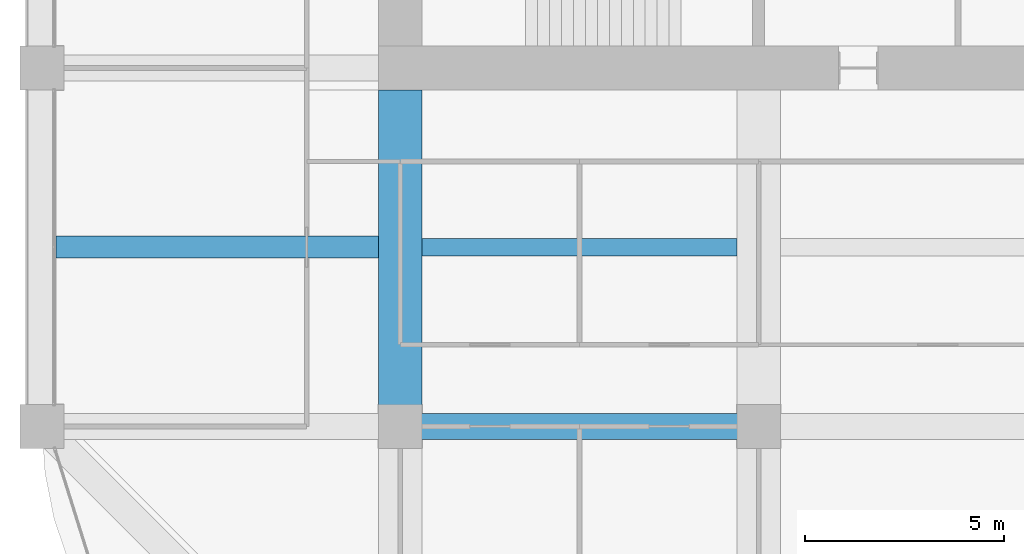
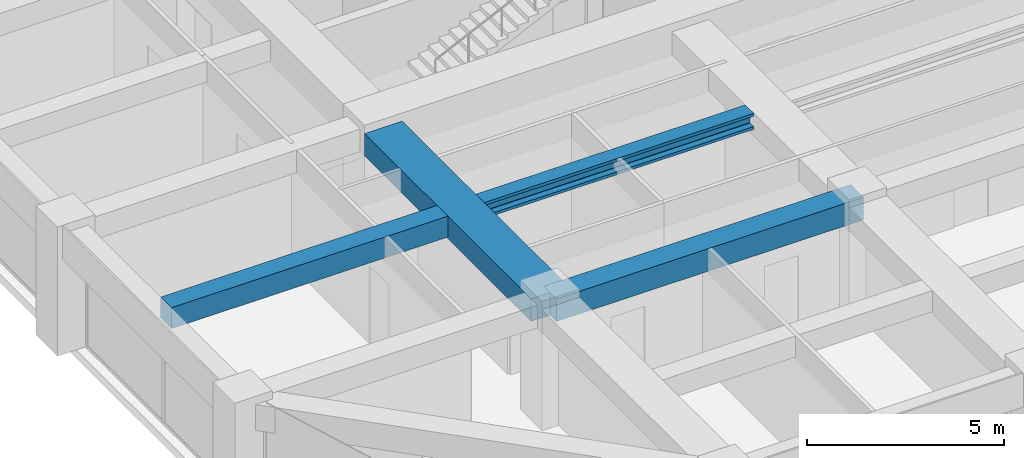
# One storey, part 8 of 45: 4 beams.
"""IFC4 building model written with IfcOpenShell, lengths in metres."""

from ifc_helpers import new_model, si_unit, direction, frame, origin, origin_2d, place, context, subcontext, project, spatial, rectangle, i_section, extrude, material, material_profile, profile_set, type_object, element, save


model = new_model("IFC4")

# Units and contexts
model_context = context("Model", 3, precision=1e-05, world=origin(), true_north=direction((0.0, 1.0)))
body_context = subcontext(model_context, "Body", "Model", "MODEL_VIEW")
ifc_project = project(units=[si_unit("LENGTHUNIT", "METRE"), si_unit("AREAUNIT", "SQUARE_METRE"), si_unit("VOLUMEUNIT", "CUBIC_METRE"), si_unit("PLANEANGLEUNIT", "RADIAN"), si_unit("MASSUNIT", "GRAM", prefix="KILO")], contexts=[model_context])

# Site, building, storey
site_placement = place(None, origin())
site = spatial("IfcSite", under=ifc_project, at=site_placement, CompositionType="ELEMENT")
building_placement = place(site_placement, origin())
building = spatial("IfcBuilding", under=site, at=building_placement, Name="Zorevar Civic Tower", CompositionType="ELEMENT")
storey_placement = place(building_placement, frame((0.0, 0.0, 303.39990234375)))
storey = spatial("IfcBuildingStorey", under=building, at=storey_placement, Name="L74", CompositionType="ELEMENT", Elevation=303.39990234375)

# Beams
ifc_material_1 = material(Name="Concrete C50/60", Category="concrete")
ifc_material_profile_1 = material_profile(ifc_material_1, rectangle(XDim=1.10009765625, YDim=0.699951171875, at=origin_2d()), Name="RC 1100x700")
ifc_profile_set_1 = profile_set([ifc_material_profile_1], Name="Concrete C50/60")
beam_type_1 = type_object("IfcBeamType", Name="Beam RC 1100x700", PredefinedType="BEAM", material=ifc_profile_set_1)
beam_1_placement = place(storey_placement, frame((18.0, 9.0, 3.400146484375), z_axis=(0.0, 1.0, 0.0), x_axis=(-1.0, 0.0, 0.0)))
element("IfcBeam", 1, at=beam_1_placement, inside=storey, type_object=beam_type_1, Name="Girder L75", PredefinedType="BEAM", context=body_context, shape_type="SweptSolid", body=[
    extrude(rectangle(XDim=1.10009765625, YDim=0.699951171875, at=origin_2d()), origin(), (0.0, 0.0, 1.0), 8.449951171875),
])
ifc_material_2 = material(Name="Concrete C50/60", Category="concrete")
ifc_material_profile_2 = material_profile(ifc_material_2, rectangle(XDim=0.550048828125, YDim=0.64990234375, at=origin_2d()), Name="RC 550x650")
ifc_profile_set_2 = profile_set([ifc_material_profile_2], Name="Concrete C50/60")
beam_type_2 = type_object("IfcBeamType", Name="Beam RC 550x650", PredefinedType="BEAM", material=ifc_profile_set_2)
beam_2_placement = place(storey_placement, frame((9.35009765625, 13.5, 3.425048828125), z_axis=(1.0, 0.0, 0.0), x_axis=(0.0, 1.0, 0.0)))
element("IfcBeam", 2, at=beam_2_placement, inside=storey, type_object=beam_type_2, Name="Secondary beam L75", PredefinedType="BEAM", context=body_context, shape_type="SweptSolid", body=[
    extrude(rectangle(XDim=0.550048828125, YDim=0.64990234375, at=origin_2d()), origin(), (0.0, 0.0, 1.0), 8.099853515625),
])
ifc_material_3 = material(Name="Concrete C50/60", Category="concrete")
ifc_material_profile_3 = material_profile(ifc_material_3, rectangle(XDim=0.64990234375, YDim=0.699951171875, at=origin_2d()), Name="RC 650x700")
ifc_profile_set_3 = profile_set([ifc_material_profile_3], Name="Concrete C50/60")
beam_type_3 = type_object("IfcBeamType", Name="Beam RC 650x700", PredefinedType="BEAM", material=ifc_profile_set_3)
beam_3_placement = place(storey_placement, frame((18.0, 9.0, 3.400146484375), z_axis=(1.0, 0.0, 0.0), x_axis=(0.0, 1.0, 0.0)))
element("IfcBeam", 3, at=beam_3_placement, inside=storey, type_object=beam_type_3, Name="Girder L75", PredefinedType="BEAM", context=body_context, shape_type="SweptSolid", body=[
    extrude(rectangle(XDim=0.64990234375, YDim=0.699951171875, at=origin_2d()), origin(), (0.0, 0.0, 1.0), 9.0),
])
ifc_material_4 = material(Name="Steel S460M (HISTAR 460)", Category="steel")
ifc_material_profile_4 = material_profile(ifc_material_4, i_section(OverallWidth=0.431884765625, OverallDepth=0.498046875, WebThickness=0.0556640625, FlangeThickness=0.0888671875, FilletRadius=0.014892578125, at=origin_2d()), Name="HD 400x744")
ifc_profile_set_4 = profile_set([ifc_material_profile_4], Name="Steel S460M (HISTAR 460)")
beam_type_4 = type_object("IfcBeamType", Name="Core bay beam HD 400x744", PredefinedType="BEAM", material=ifc_profile_set_4)
beam_4_placement = place(storey_placement, frame((18.550048828125, 13.5, 3.5009765625), z_axis=(1.0, 0.0, 0.0), x_axis=(0.0, 1.0, 0.0)))
element("IfcBeam", 4, at=beam_4_placement, inside=storey, type_object=beam_type_4, Name="Secondary beam L75", PredefinedType="BEAM", context=body_context, shape_type="SweptSolid", body=[
    extrude(i_section(OverallWidth=0.431884765625, OverallDepth=0.498046875, WebThickness=0.0556640625, FlangeThickness=0.0888671875, FilletRadius=0.014892578125, at=origin_2d()), origin(), (0.0, 0.0, 1.0), 7.89990234375),
])

save(model, "model.ifc")
